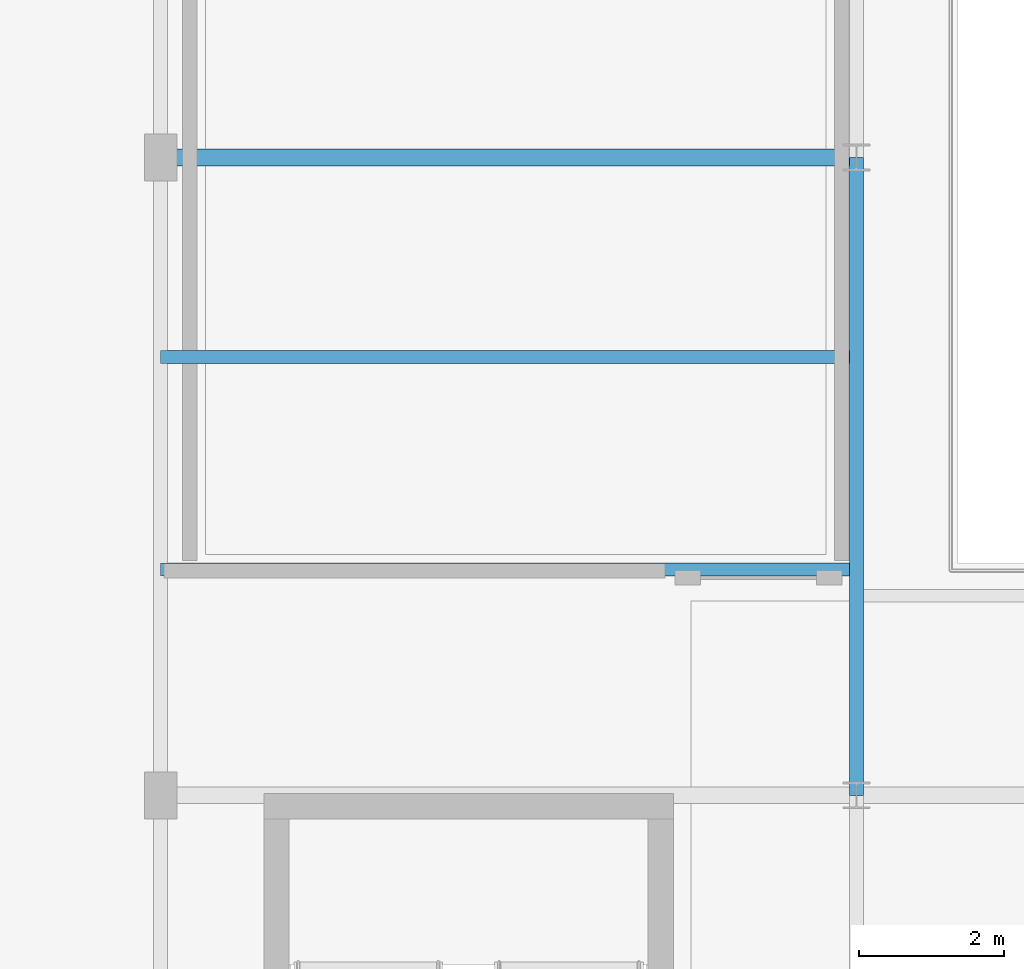
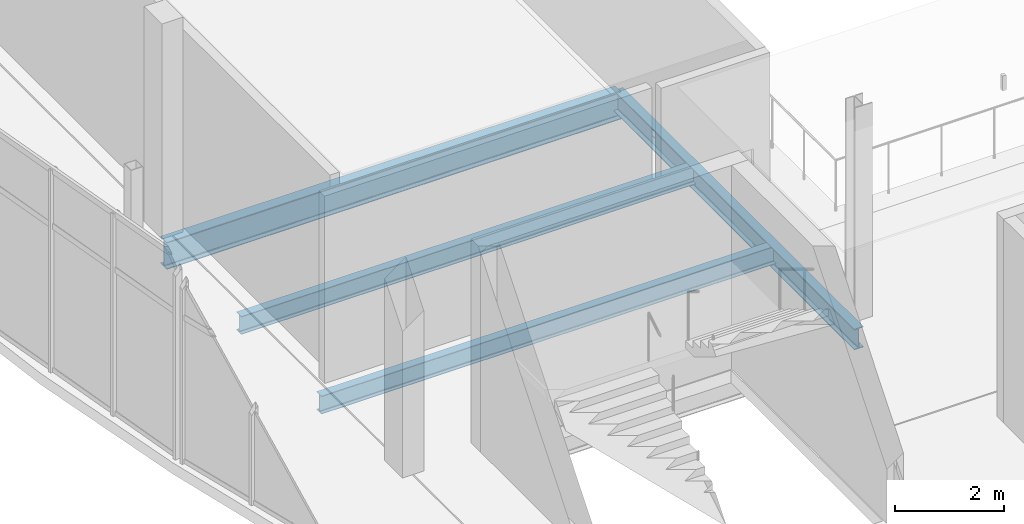
# One storey, part 21 of 157: 4 beams.
"""IFC4 building model written with IfcOpenShell, lengths in metres."""

from ifc_helpers import new_model, si_unit, direction, frame, origin, origin_2d, place, context, subcontext, project, spatial, i_section, extrude, material, material_profile, profile_set, type_object, element, save


model = new_model("IFC4")

# Units and contexts
model_context = context("Model", 3, precision=1e-05, world=origin(), true_north=direction((0.0, 1.0)))
body_context = subcontext(model_context, "Body", "Model", "MODEL_VIEW")
ifc_project = project(units=[si_unit("LENGTHUNIT", "METRE"), si_unit("AREAUNIT", "SQUARE_METRE"), si_unit("VOLUMEUNIT", "CUBIC_METRE"), si_unit("PLANEANGLEUNIT", "RADIAN"), si_unit("MASSUNIT", "GRAM", prefix="KILO")], contexts=[model_context])

# Site, building, storey
site_placement = place(None, origin())
site = spatial("IfcSite", under=ifc_project, at=site_placement, CompositionType="ELEMENT")
building_placement = place(site_placement, origin())
building = spatial("IfcBuilding", under=site, at=building_placement, Name="Chalmorin Arch Market", CompositionType="ELEMENT")
storey_placement = place(building_placement, frame((0.0, 0.0, 4.800048828125)))
storey = spatial("IfcBuildingStorey", under=building, at=storey_placement, Name="L01", CompositionType="ELEMENT", Elevation=4.800048828125)

# Beams
ifc_material = material(Name="Steel A992 Grade 50", Category="steel")
ifc_material_profile_1 = material_profile(ifc_material, i_section(OverallWidth=0.193115234375, OverallDepth=0.466064453125, WebThickness=0.011474609375, FlangeThickness=0.01904296875, FilletRadius=0.02001953125, at=origin_2d()), Name="W18X65")
ifc_profile_set_1 = profile_set([ifc_material_profile_1], Name="Steel A992 Grade 50")
beam_type_1 = type_object("IfcBeamType", Name="FloorSteelBeam-W18X65", PredefinedType="BEAM", material=ifc_profile_set_1)
beam_1_placement = place(storey_placement, frame((9.60009765625, 14.800048828125, -0.51513671875), z_axis=(0.0, 1.0, 0.0), x_axis=(-1.0, 0.0, 0.0)))
element("IfcBeam", 1, at=beam_1_placement, inside=storey, type_object=beam_type_1, Name="BM-W18A-0804", PredefinedType="BEAM", context=body_context, shape_type="SweptSolid", body=[
    extrude(i_section(OverallWidth=0.193115234375, OverallDepth=0.466064453125, WebThickness=0.011474609375, FlangeThickness=0.01904296875, FilletRadius=0.02001953125, at=origin_2d()), origin(), (0.0, 0.0, 1.0), 8.800048828125),
])
ifc_material_profile_2 = material_profile(ifc_material, i_section(OverallWidth=0.22802734375, OverallDepth=0.60791015625, WebThickness=0.01123046875, FlangeThickness=0.017333984375, FilletRadius=0.02392578125, at=origin_2d()), Name="W24X76")
ifc_profile_set_2 = profile_set([ifc_material_profile_2], Name="Steel A992 Grade 50")
beam_type_2 = type_object("IfcBeamType", Name="PrimarySteelGirder-W24X76", PredefinedType="BEAM", material=ifc_profile_set_2)
beam_2_placement = place(storey_placement, frame((0.0, 23.60009765625, -0.5859375), z_axis=(1.0, 0.0, 0.0), x_axis=(0.0, 1.0, 0.0)))
element("IfcBeam", 2, at=beam_2_placement, inside=storey, type_object=beam_type_2, Name="BG-W24B-0802", PredefinedType="BEAM", context=body_context, shape_type="SweptSolid", body=[
    extrude(i_section(OverallWidth=0.22802734375, OverallDepth=0.60791015625, WebThickness=0.01123046875, FlangeThickness=0.017333984375, FilletRadius=0.02392578125, at=origin_2d()), origin(), (0.0, 0.0, 1.0), 9.60009765625),
])
ifc_material_profile_3 = material_profile(ifc_material, i_section(OverallWidth=0.177978515625, OverallDepth=0.403076171875, WebThickness=0.007568359375, FlangeThickness=0.010986328125, FilletRadius=0.01806640625, at=origin_2d()), Name="W16X36")
ifc_profile_set_3 = profile_set([ifc_material_profile_3], Name="Steel A992 Grade 50")
beam_type_3 = type_object("IfcBeamType", Name="SecondaryFloorJoist-W16X36", PredefinedType="JOIST", material=ifc_profile_set_3)
for number, where, z_axis, x_axis, name in (
    (3, (0.0, 17.913330078125, -0.483642578125), (1.0, 0.0, 0.0), (0.0, 1.0, 0.0), "BJ-W16B-0845"),
    (4, (0.0, 20.8466796875, -0.483642578125), (1.0, 0.0, 0.0), (0.0, 1.0, 0.0), "BJ-W16B-0846"),
):
    element("IfcBeam", number, at=place(storey_placement, frame(where, z_axis=z_axis, x_axis=x_axis)), inside=storey, type_object=beam_type_3, Name=name, PredefinedType="JOIST", context=body_context, shape_type="SweptSolid", body=[
        extrude(i_section(OverallWidth=0.177978515625, OverallDepth=0.403076171875, WebThickness=0.007568359375, FlangeThickness=0.010986328125, FilletRadius=0.01806640625, at=origin_2d()), origin(), (0.0, 0.0, 1.0), 9.60009765625),
    ])

save(model, "model.ifc")
